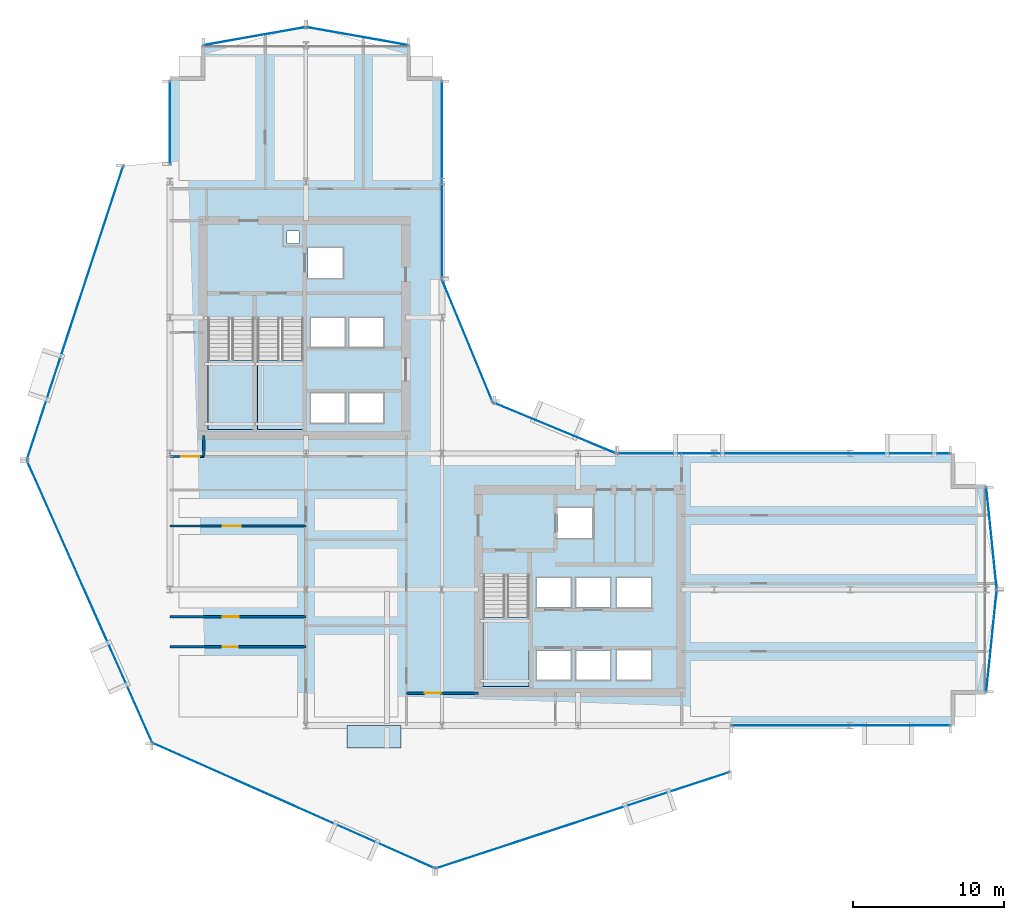
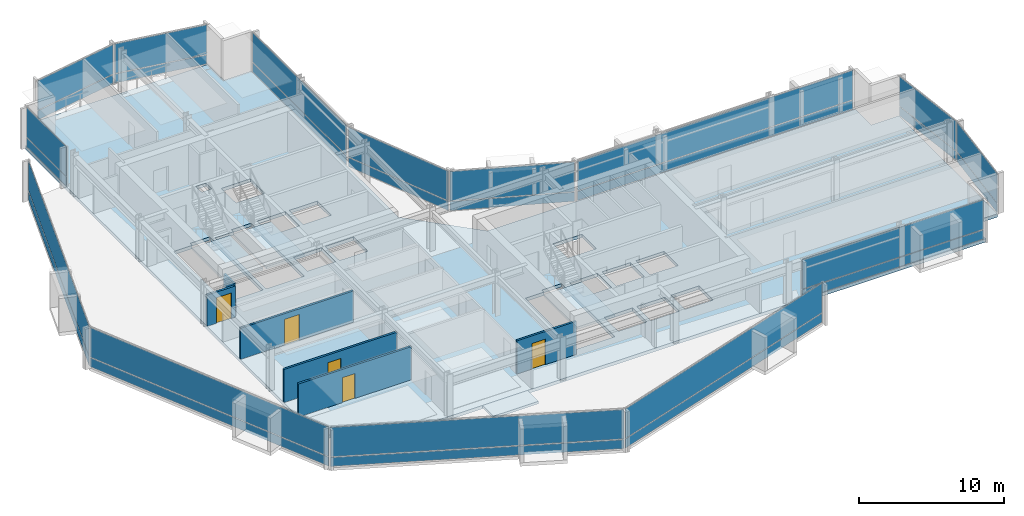
# One storey, part 26 of 34: 28 plates, 6 walls, 5 doors, 5 slabs, 5 openings, 17 elements without a shape of their own.
"""IFC4 building model written with IfcOpenShell, lengths in metres."""

from ifc_helpers import new_model, si_unit, direction, frame, frame_2d, origin, origin_2d, place, context, subcontext, project, spatial, polyline, rectangle, outline, extrude, material, layer, layer_set, type_object, element, fill, aggregate, save


model = new_model("IFC4")

# Units and contexts
model_context = context("Model", 3, precision=1e-05, world=origin(), true_north=direction((0.0, 1.0)))
body_context = subcontext(model_context, "Body", "Model", "MODEL_VIEW")
ifc_project = project(units=[si_unit("LENGTHUNIT", "METRE"), si_unit("AREAUNIT", "SQUARE_METRE"), si_unit("VOLUMEUNIT", "CUBIC_METRE"), si_unit("PLANEANGLEUNIT", "RADIAN"), si_unit("MASSUNIT", "GRAM", prefix="KILO")], contexts=[model_context])

# Site, building, storey
site_placement = place(None, origin())
site = spatial("IfcSite", under=ifc_project, at=site_placement, CompositionType="ELEMENT")
building_placement = place(site_placement, origin())
building = spatial("IfcBuilding", under=site, at=building_placement, Name="Solvaryn Broadcast Tower", CompositionType="ELEMENT")
storey_placement = place(building_placement, frame((0.0, 0.0, 89.10009765625)))
storey = spatial("IfcBuildingStorey", under=building, at=storey_placement, Name="L21", CompositionType="ELEMENT", Elevation=89.10009765625)

# Curtain wall, plates
ifc_material_1 = material(Name="Aluminium and Terracotta Unitised Curtain Wall", Category="masonry")
ifc_layer_1 = layer(ifc_material_1, 0.199951171875)
ifc_layer_set_1 = layer_set([ifc_layer_1], Name="CW-SYS2-LOWMID")
curtain_wall_type = type_object("IfcCurtainWallType", Name="CW-SYS2-LOWMID", PredefinedType="NOTDEFINED", material=ifc_layer_set_1)
curtain_wall_1_placement = place(storey_placement, origin())
curtain_wall_1 = element("IfcCurtainWall", 1, at=curtain_wall_1_placement, inside=storey, type_object=curtain_wall_type, Name="L21 Curtain Wall DR1", PredefinedType="NOTDEFINED")
ifc_material_2 = material(Name="Low-Iron Insulated Vision Glass", Category="glass")
ifc_layer_2 = layer(ifc_material_2, 0.035888671875)
ifc_layer_set_2 = layer_set([ifc_layer_2], Name="CW-PNL-VISION")
plate_type = type_object("IfcPlateType", Name="CW-PNL-VISION", PredefinedType="CURTAIN_PANEL", material=ifc_layer_set_2)
plate_1_placement = place(storey_placement, frame((2.72607421875, 36.2880859375, 0.06005859375), z_axis=(0.0, 0.0, 1.0), x_axis=(-0.311594044587, -0.950215318429, 0.0)))
plate_1 = element("IfcPlate", 2, at=plate_1_placement, type_object=plate_type, Name="CWS2 panel 1.1", PredefinedType="CURTAIN_PANEL", context=body_context, shape_type="SweptSolid", body=[
    extrude(rectangle(XDim=20.35546875, YDim=0.028076171875, at=origin_2d()), origin(), (0.0, 0.0, 1.0), 0.760009765625),
])
plate_2_placement = place(storey_placement, frame((2.72607421875, 36.2880859375, 0.8798828125), z_axis=(0.0, 0.0, 1.0), x_axis=(-0.311594044587, -0.950215318429, 0.0)))
plate_2 = element("IfcPlate", 3, at=plate_2_placement, type_object=plate_type, Name="CWS2 panel 1.2", PredefinedType="CURTAIN_PANEL", context=body_context, shape_type="SweptSolid", body=[
    extrude(rectangle(XDim=20.35546875, YDim=0.028076171875, at=origin_2d()), origin(), (0.0, 0.0, 1.0), 2.47998046875),
])
aggregate(curtain_wall_1, [plate_1, plate_2])

curtain_wall_2_placement = place(storey_placement, origin())
curtain_wall_2 = element("IfcCurtainWall", 4, at=curtain_wall_2_placement, inside=storey, type_object=curtain_wall_type, Name="L21 Curtain Wall DR2", PredefinedType="NOTDEFINED")
plate_3_placement = place(storey_placement, frame((3.69140625, 17.20361328125, 0.06005859375), z_axis=(0.0, 0.0, 1.0), x_axis=(0.405898286554, -0.913918257271, 0.0)))
plate_3 = element("IfcPlate", 5, at=plate_3_placement, type_object=plate_type, Name="CWS2 panel 1.1", PredefinedType="CURTAIN_PANEL", context=body_context, shape_type="SweptSolid", body=[
    extrude(rectangle(XDim=20.35546875, YDim=0.028076171875, at=origin_2d()), origin(), (0.0, 0.0, 1.0), 0.760009765625),
])
plate_4_placement = place(storey_placement, frame((3.69140625, 17.20361328125, 0.8798828125), z_axis=(0.0, 0.0, 1.0), x_axis=(0.405898286554, -0.913918257271, 0.0)))
plate_4 = element("IfcPlate", 6, at=plate_4_placement, type_object=plate_type, Name="CWS2 panel 1.2", PredefinedType="CURTAIN_PANEL", context=body_context, shape_type="SweptSolid", body=[
    extrude(rectangle(XDim=20.35546875, YDim=0.028076171875, at=origin_2d()), origin(), (0.0, 0.0, 1.0), 2.47998046875),
])
aggregate(curtain_wall_2, [plate_3, plate_4])

curtain_wall_3_placement = place(storey_placement, origin())
curtain_wall_3 = element("IfcCurtainWall", 7, at=curtain_wall_3_placement, inside=storey, type_object=curtain_wall_type, Name="L21 Curtain Wall DR3", PredefinedType="NOTDEFINED")
plate_5_placement = place(storey_placement, frame((17.20361328125, 3.69140625, 0.06005859375), z_axis=(0.0, 0.0, 1.0), x_axis=(0.913918257271, -0.405898286554, 0.0)))
plate_5 = element("IfcPlate", 8, at=plate_5_placement, type_object=plate_type, Name="CWS2 panel 1.1", PredefinedType="CURTAIN_PANEL", context=body_context, shape_type="SweptSolid", body=[
    extrude(rectangle(XDim=20.35546875, YDim=0.028076171875, at=origin_2d()), origin(), (0.0, 0.0, 1.0), 0.760009765625),
])
plate_6_placement = place(storey_placement, frame((17.20361328125, 3.69140625, 0.8798828125), z_axis=(0.0, 0.0, 1.0), x_axis=(0.913918257271, -0.405898286554, 0.0)))
plate_6 = element("IfcPlate", 9, at=plate_6_placement, type_object=plate_type, Name="CWS2 panel 1.2", PredefinedType="CURTAIN_PANEL", context=body_context, shape_type="SweptSolid", body=[
    extrude(rectangle(XDim=20.35546875, YDim=0.028076171875, at=origin_2d()), origin(), (0.0, 0.0, 1.0), 2.47998046875),
])
aggregate(curtain_wall_3, [plate_5, plate_6])

curtain_wall_4_placement = place(storey_placement, origin())
curtain_wall_4 = element("IfcCurtainWall", 10, at=curtain_wall_4_placement, inside=storey, type_object=curtain_wall_type, Name="L21 Curtain Wall DR4", PredefinedType="NOTDEFINED")
plate_7_placement = place(storey_placement, frame((36.2880859375, 2.72607421875, 0.06005859375), z_axis=(0.0, 0.0, 1.0), x_axis=(0.950215318429, 0.311594044587, 0.0)))
plate_7 = element("IfcPlate", 11, at=plate_7_placement, type_object=plate_type, Name="CWS2 panel 1.1", PredefinedType="CURTAIN_PANEL", context=body_context, shape_type="SweptSolid", body=[
    extrude(rectangle(XDim=20.35546875, YDim=0.028076171875, at=origin_2d()), origin(), (0.0, 0.0, 1.0), 0.760009765625),
])
plate_8_placement = place(storey_placement, frame((36.2880859375, 2.72607421875, 0.8798828125), z_axis=(0.0, 0.0, 1.0), x_axis=(0.950215318429, 0.311594044587, 0.0)))
plate_8 = element("IfcPlate", 12, at=plate_8_placement, type_object=plate_type, Name="CWS2 panel 1.2", PredefinedType="CURTAIN_PANEL", context=body_context, shape_type="SweptSolid", body=[
    extrude(rectangle(XDim=20.35546875, YDim=0.028076171875, at=origin_2d()), origin(), (0.0, 0.0, 1.0), 2.47998046875),
])
aggregate(curtain_wall_4, [plate_7, plate_8])

curtain_wall_5_placement = place(storey_placement, origin())
curtain_wall_5 = element("IfcCurtainWall", 13, at=curtain_wall_5_placement, inside=storey, type_object=curtain_wall_type, Name="L21 Curtain Wall W2", PredefinedType="NOTDEFINED")
plate_9_placement = place(storey_placement, frame((9.0, 48.883056640625, 0.06005859375), z_axis=(0.0, 0.0, 1.0), x_axis=(0.0, 1.0, 0.0)))
plate_9 = element("IfcPlate", 14, at=plate_9_placement, type_object=plate_type, Name="CWS2 panel 1.1", PredefinedType="CURTAIN_PANEL", context=body_context, shape_type="SweptSolid", body=[
    extrude(rectangle(XDim=5.4140625, YDim=0.028076171875, at=origin_2d()), origin(), (0.0, 0.0, 1.0), 0.760009765625),
])
plate_10_placement = place(storey_placement, frame((9.0, 48.883056640625, 0.8798828125), z_axis=(0.0, 0.0, 1.0), x_axis=(0.0, 1.0, 0.0)))
plate_10 = element("IfcPlate", 15, at=plate_10_placement, type_object=plate_type, Name="CWS2 panel 1.2", PredefinedType="CURTAIN_PANEL", context=body_context, shape_type="SweptSolid", body=[
    extrude(rectangle(XDim=5.4140625, YDim=0.028076171875, at=origin_2d()), origin(), (0.0, 0.0, 1.0), 2.47998046875),
])
aggregate(curtain_wall_5, [plate_9, plate_10])

curtain_wall_6_placement = place(storey_placement, origin())
curtain_wall_6 = element("IfcCurtainWall", 16, at=curtain_wall_6_placement, inside=storey, type_object=curtain_wall_type, Name="L21 Curtain Wall IV", PredefinedType="NOTDEFINED")
plate_11_placement = place(storey_placement, frame((27.0, 45.125, 0.06005859375), z_axis=(0.0, 0.0, 1.0), x_axis=(0.0, -1.0, 0.0)))
plate_11 = element("IfcPlate", 17, at=plate_11_placement, type_object=plate_type, Name="CWS2 panel 1.1", PredefinedType="CURTAIN_PANEL", context=body_context, shape_type="SweptSolid", body=[
    extrude(rectangle(XDim=12.929931640625, YDim=0.028076171875, at=origin_2d()), origin(), (0.0, 0.0, 1.0), 0.760009765625),
])
plate_12_placement = place(storey_placement, frame((27.0, 45.125, 0.8798828125), z_axis=(0.0, 0.0, 1.0), x_axis=(0.0, -1.0, 0.0)))
plate_12 = element("IfcPlate", 18, at=plate_12_placement, type_object=plate_type, Name="CWS2 panel 1.2", PredefinedType="CURTAIN_PANEL", context=body_context, shape_type="SweptSolid", body=[
    extrude(rectangle(XDim=12.929931640625, YDim=0.028076171875, at=origin_2d()), origin(), (0.0, 0.0, 1.0), 2.47998046875),
])
aggregate(curtain_wall_6, [plate_11, plate_12])

curtain_wall_7_placement = place(storey_placement, origin())
curtain_wall_7 = element("IfcCurtainWall", 19, at=curtain_wall_7_placement, inside=storey, type_object=curtain_wall_type, Name="L21 Curtain Wall CN1", PredefinedType="NOTDEFINED")
plate_13_placement = place(storey_placement, frame((34.43408203125, 28.68408203125, 0.06005859375), z_axis=(0.0, 0.0, 1.0), x_axis=(-0.923894983957, 0.382646127145, 0.0)))
plate_13 = element("IfcPlate", 20, at=plate_13_placement, type_object=plate_type, Name="CWS2 panel 1.1", PredefinedType="CURTAIN_PANEL", context=body_context, shape_type="SweptSolid", body=[
    extrude(rectangle(XDim=8.681884765625, YDim=0.028076171875, at=origin_2d()), origin(), (0.0, 0.0, 1.0), 0.760009765625),
])
plate_14_placement = place(storey_placement, frame((34.43408203125, 28.68408203125, 0.8798828125), z_axis=(0.0, 0.0, 1.0), x_axis=(-0.923894983957, 0.382646127145, 0.0)))
plate_14 = element("IfcPlate", 21, at=plate_14_placement, type_object=plate_type, Name="CWS2 panel 1.2", PredefinedType="CURTAIN_PANEL", context=body_context, shape_type="SweptSolid", body=[
    extrude(rectangle(XDim=8.681884765625, YDim=0.028076171875, at=origin_2d()), origin(), (0.0, 0.0, 1.0), 2.47998046875),
])
aggregate(curtain_wall_7, [plate_13, plate_14])

curtain_wall_8_placement = place(storey_placement, origin())
curtain_wall_8 = element("IfcCurtainWall", 22, at=curtain_wall_8_placement, inside=storey, type_object=curtain_wall_type, Name="L21 Curtain Wall CN2", PredefinedType="NOTDEFINED")
plate_15_placement = place(storey_placement, frame((28.68408203125, 34.43408203125, 0.06005859375), z_axis=(0.0, 0.0, 1.0), x_axis=(-0.382646127145, 0.923894983957, 0.0)))
plate_15 = element("IfcPlate", 23, at=plate_15_placement, type_object=plate_type, Name="CWS2 panel 1.1", PredefinedType="CURTAIN_PANEL", context=body_context, shape_type="SweptSolid", body=[
    extrude(rectangle(XDim=8.681884765625, YDim=0.028076171875, at=origin_2d()), origin(), (0.0, 0.0, 1.0), 0.760009765625),
])
plate_16_placement = place(storey_placement, frame((28.68408203125, 34.43408203125, 0.8798828125), z_axis=(0.0, 0.0, 1.0), x_axis=(-0.382646127145, 0.923894983957, 0.0)))
plate_16 = element("IfcPlate", 24, at=plate_16_placement, type_object=plate_type, Name="CWS2 panel 1.2", PredefinedType="CURTAIN_PANEL", context=body_context, shape_type="SweptSolid", body=[
    extrude(rectangle(XDim=8.681884765625, YDim=0.028076171875, at=origin_2d()), origin(), (0.0, 0.0, 1.0), 2.47998046875),
])
aggregate(curtain_wall_8, [plate_15, plate_16])

curtain_wall_9_placement = place(storey_placement, origin())
curtain_wall_9 = element("IfcCurtainWall", 25, at=curtain_wall_9_placement, inside=storey, type_object=curtain_wall_type, Name="L21 Curtain Wall S2", PredefinedType="NOTDEFINED")
plate_17_placement = place(storey_placement, frame((53.383056640625, 9.0, 0.06005859375), z_axis=(0.0, 0.0, 1.0), x_axis=(1.0, 0.0, 0.0)))
plate_17 = element("IfcPlate", 26, at=plate_17_placement, type_object=plate_type, Name="CWS2 panel 1.1", PredefinedType="CURTAIN_PANEL", context=body_context, shape_type="SweptSolid", body=[
    extrude(rectangle(XDim=14.4140625, YDim=0.028076171875, at=origin_2d()), origin(), (0.0, 0.0, 1.0), 0.760009765625),
])
plate_18_placement = place(storey_placement, frame((53.383056640625, 9.0, 0.8798828125), z_axis=(0.0, 0.0, 1.0), x_axis=(1.0, 0.0, 0.0)))
plate_18 = element("IfcPlate", 27, at=plate_18_placement, type_object=plate_type, Name="CWS2 panel 1.2", PredefinedType="CURTAIN_PANEL", context=body_context, shape_type="SweptSolid", body=[
    extrude(rectangle(XDim=14.4140625, YDim=0.028076171875, at=origin_2d()), origin(), (0.0, 0.0, 1.0), 2.47998046875),
])
aggregate(curtain_wall_9, [plate_17, plate_18])

curtain_wall_10_placement = place(storey_placement, origin())
curtain_wall_10 = element("IfcCurtainWall", 28, at=curtain_wall_10_placement, inside=storey, type_object=curtain_wall_type, Name="L21 Curtain Wall NT1", PredefinedType="NOTDEFINED")
plate_19_placement = place(storey_placement, frame((21.39990234375, 54.60009765625, 0.06005859375), z_axis=(0.0, 0.0, 1.0), x_axis=(-0.984783558819, 0.173785333901, 0.0)))
plate_19 = element("IfcPlate", 29, at=plate_19_placement, type_object=plate_type, Name="CWS2 panel 1.1", PredefinedType="CURTAIN_PANEL", context=body_context, shape_type="SweptSolid", body=[
    extrude(rectangle(XDim=6.78515625, YDim=0.028076171875, at=origin_2d()), origin(), (0.0, 0.0, 1.0), 0.760009765625),
])
plate_20_placement = place(storey_placement, frame((21.39990234375, 54.60009765625, 0.8798828125), z_axis=(0.0, 0.0, 1.0), x_axis=(-0.984783558819, 0.173785333901, 0.0)))
plate_20 = element("IfcPlate", 30, at=plate_20_placement, type_object=plate_type, Name="CWS2 panel 1.2", PredefinedType="CURTAIN_PANEL", context=body_context, shape_type="SweptSolid", body=[
    extrude(rectangle(XDim=6.78515625, YDim=0.028076171875, at=origin_2d()), origin(), (0.0, 0.0, 1.0), 2.47998046875),
])
aggregate(curtain_wall_10, [plate_19, plate_20])

curtain_wall_11_placement = place(storey_placement, origin())
curtain_wall_11 = element("IfcCurtainWall", 31, at=curtain_wall_11_placement, inside=storey, type_object=curtain_wall_type, Name="L21 Curtain Wall NT2", PredefinedType="NOTDEFINED")
plate_21_placement = place(storey_placement, frame((14.60009765625, 54.60009765625, 0.06005859375), z_axis=(0.0, 0.0, 1.0), x_axis=(-0.984783558819, -0.173785333901, 0.0)))
plate_21 = element("IfcPlate", 32, at=plate_21_placement, type_object=plate_type, Name="CWS2 panel 1.1", PredefinedType="CURTAIN_PANEL", context=body_context, shape_type="SweptSolid", body=[
    extrude(rectangle(XDim=6.78515625, YDim=0.028076171875, at=origin_2d()), origin(), (0.0, 0.0, 1.0), 0.760009765625),
])
plate_22_placement = place(storey_placement, frame((14.60009765625, 54.60009765625, 0.8798828125), z_axis=(0.0, 0.0, 1.0), x_axis=(-0.984783558819, -0.173785333901, 0.0)))
plate_22 = element("IfcPlate", 33, at=plate_22_placement, type_object=plate_type, Name="CWS2 panel 1.2", PredefinedType="CURTAIN_PANEL", context=body_context, shape_type="SweptSolid", body=[
    extrude(rectangle(XDim=6.78515625, YDim=0.028076171875, at=origin_2d()), origin(), (0.0, 0.0, 1.0), 2.47998046875),
])
aggregate(curtain_wall_11, [plate_21, plate_22])

curtain_wall_12_placement = place(storey_placement, origin())
curtain_wall_12 = element("IfcCurtainWall", 34, at=curtain_wall_12_placement, inside=storey, type_object=curtain_wall_type, Name="L21 Curtain Wall ET1", PredefinedType="NOTDEFINED")
plate_23_placement = place(storey_placement, frame((63.35009765625, 21.39990234375, 0.06005859375), z_axis=(0.0, 0.0, 1.0), x_axis=(0.10240004548, -0.99474329889, 0.0)))
plate_23 = element("IfcPlate", 35, at=plate_23_placement, type_object=plate_type, Name="CWS2 panel 1.1", PredefinedType="CURTAIN_PANEL", context=body_context, shape_type="SweptSolid", body=[
    extrude(rectangle(XDim=6.7158203125, YDim=0.028076171875, at=origin_2d()), origin(), (0.0, 0.0, 1.0), 0.760009765625),
])
plate_24_placement = place(storey_placement, frame((63.35009765625, 21.39990234375, 0.8798828125), z_axis=(0.0, 0.0, 1.0), x_axis=(0.10240004548, -0.99474329889, 0.0)))
plate_24 = element("IfcPlate", 36, at=plate_24_placement, type_object=plate_type, Name="CWS2 panel 1.2", PredefinedType="CURTAIN_PANEL", context=body_context, shape_type="SweptSolid", body=[
    extrude(rectangle(XDim=6.7158203125, YDim=0.028076171875, at=origin_2d()), origin(), (0.0, 0.0, 1.0), 2.47998046875),
])
aggregate(curtain_wall_12, [plate_23, plate_24])

curtain_wall_13_placement = place(storey_placement, origin())
curtain_wall_13 = element("IfcCurtainWall", 37, at=curtain_wall_13_placement, inside=storey, type_object=curtain_wall_type, Name="L21 Curtain Wall ET2", PredefinedType="NOTDEFINED")
plate_25_placement = place(storey_placement, frame((63.35009765625, 14.60009765625, 0.06005859375), z_axis=(0.0, 0.0, 1.0), x_axis=(-0.10240004548, -0.99474329889, 0.0)))
plate_25 = element("IfcPlate", 38, at=plate_25_placement, type_object=plate_type, Name="CWS2 panel 1.1", PredefinedType="CURTAIN_PANEL", context=body_context, shape_type="SweptSolid", body=[
    extrude(rectangle(XDim=6.7158203125, YDim=0.028076171875, at=origin_2d()), origin(), (0.0, 0.0, 1.0), 0.760009765625),
])
plate_26_placement = place(storey_placement, frame((63.35009765625, 14.60009765625, 0.8798828125), z_axis=(0.0, 0.0, 1.0), x_axis=(-0.10240004548, -0.99474329889, 0.0)))
plate_26 = element("IfcPlate", 39, at=plate_26_placement, type_object=plate_type, Name="CWS2 panel 1.2", PredefinedType="CURTAIN_PANEL", context=body_context, shape_type="SweptSolid", body=[
    extrude(rectangle(XDim=6.7158203125, YDim=0.028076171875, at=origin_2d()), origin(), (0.0, 0.0, 1.0), 2.47998046875),
])
aggregate(curtain_wall_13, [plate_25, plate_26])

curtain_wall_14_placement = place(storey_placement, origin())
curtain_wall_14 = element("IfcCurtainWall", 40, at=curtain_wall_14_placement, inside=storey, type_object=curtain_wall_type, Name="L21 Curtain Wall IH", PredefinedType="NOTDEFINED")
plate_27_placement = place(storey_placement, frame((49.625, 27.0, 0.06005859375), z_axis=(0.0, 0.0, 1.0), x_axis=(1.0, 0.0, 0.0)))
plate_27 = element("IfcPlate", 41, at=plate_27_placement, type_object=plate_type, Name="CWS2 panel 1.1", PredefinedType="CURTAIN_PANEL", context=body_context, shape_type="SweptSolid", body=[
    extrude(rectangle(XDim=21.929931640625, YDim=0.028076171875, at=origin_2d()), origin(), (0.0, 0.0, 1.0), 0.760009765625),
])
plate_28_placement = place(storey_placement, frame((49.625, 27.0, 0.8798828125), z_axis=(0.0, 0.0, 1.0), x_axis=(1.0, 0.0, 0.0)))
plate_28 = element("IfcPlate", 42, at=plate_28_placement, type_object=plate_type, Name="CWS2 panel 1.2", PredefinedType="CURTAIN_PANEL", context=body_context, shape_type="SweptSolid", body=[
    extrude(rectangle(XDim=21.929931640625, YDim=0.028076171875, at=origin_2d()), origin(), (0.0, 0.0, 1.0), 2.47998046875),
])
aggregate(curtain_wall_14, [plate_27, plate_28])

# Slab
ifc_material_3 = material(Name="Concrete f'c 60 MPa", Category="concrete")
ifc_layer_3 = layer(ifc_material_3, 0.2099609375)
ifc_layer_set_3 = layer_set([ifc_layer_3], Name="SL-BAYBOX-210")
slab_type_1 = type_object("IfcSlabType", Name="SL-BAYBOX-210", PredefinedType="FLOOR", material=ifc_layer_set_3)
slab_1_placement = place(storey_placement, frame((0.0, 0.0, -0.210205078125)))
element("IfcSlab", 43, at=slab_1_placement, inside=storey, type_object=slab_type_1, Name="L21 Projecting Bay-Box Slab 1", PredefinedType="FLOOR", context=body_context, shape_type="SweptSolid", body=[
    extrude(outline(polyline([(20.699951171875, 7.5), (24.300048828125, 7.5), (24.300048828125, 9.0), (20.699951171875, 9.0), (20.699951171875, 7.5)])), origin(), (0.0, 0.0, 1.0), 0.210205078125),
])

# Stair, slab
ifc_material_4 = material(Name="Concrete f'c 60 MPa", Category="concrete")
stair_type = type_object("IfcStairType", Name="ST-CORE", PredefinedType="HALF_TURN_STAIR", material=ifc_material_4)
stair_1_placement = place(storey_placement, origin())
stair_1 = element("IfcStair", 44, at=stair_1_placement, inside=storey, type_object=stair_type, Name="L21 ST1", PredefinedType="HALF_TURN_STAIR")
ifc_material_5 = material(Name="Concrete f'c 60 MPa", Category="concrete")
ifc_layer_4 = layer(ifc_material_5, 0.199951171875)
ifc_layer_set_4 = layer_set([ifc_layer_4], Name="SL-LANDING-200")
slab_type_2 = type_object("IfcSlabType", Name="SL-LANDING-200", PredefinedType="LANDING", material=ifc_layer_set_4)
slab_2_placement = place(storey_placement, frame((0.0, 0.0, 1.64990234375)))
slab_2 = element("IfcSlab", 45, at=slab_2_placement, type_object=slab_type_2, Name="ST1 landing 1", PredefinedType="LANDING", context=body_context, shape_type="SweptSolid", body=[
    extrude(outline(polyline([(11.52001953125, 33.159912109375), (11.52001953125, 28.60009765625), (14.550048828125, 28.60009765625), (14.550048828125, 33.159912109375), (11.52001953125, 33.159912109375)])), origin(), (0.0, 0.0, 1.0), 0.199951171875),
])
aggregate(stair_1, [slab_2])

stair_2_placement = place(storey_placement, origin())
stair_2 = element("IfcStair", 46, at=stair_2_placement, inside=storey, type_object=stair_type, Name="L21 ST2", PredefinedType="HALF_TURN_STAIR")
slab_3_placement = place(storey_placement, frame((0.0, 0.0, 1.64990234375)))
slab_3 = element("IfcSlab", 47, at=slab_3_placement, type_object=slab_type_2, Name="ST2 landing 1", PredefinedType="LANDING", context=body_context, shape_type="SweptSolid", body=[
    extrude(outline(polyline([(14.800048828125, 33.159912109375), (14.800048828125, 28.60009765625), (17.830078125, 28.60009765625), (17.830078125, 33.159912109375), (14.800048828125, 33.159912109375)])), origin(), (0.0, 0.0, 1.0), 0.199951171875),
])
aggregate(stair_2, [slab_3])

stair_3_placement = place(storey_placement, origin())
stair_3 = element("IfcStair", 48, at=stair_3_placement, inside=storey, type_object=stair_type, Name="L21 ST3", PredefinedType="HALF_TURN_STAIR")
slab_4_placement = place(storey_placement, frame((0.0, 0.0, 1.64990234375)))
slab_4 = element("IfcSlab", 49, at=slab_4_placement, type_object=slab_type_2, Name="ST3 landing 1", PredefinedType="LANDING", context=body_context, shape_type="SweptSolid", body=[
    extrude(outline(polyline([(29.719970703125, 16.159912109375), (29.719970703125, 11.60009765625), (32.75, 11.60009765625), (32.75, 16.159912109375), (29.719970703125, 16.159912109375)])), origin(), (0.0, 0.0, 1.0), 0.199951171875),
])
aggregate(stair_3, [slab_4])

# Slab
ifc_material_6 = material(Name="Concrete f'c 60 MPa", Category="concrete")
ifc_layer_5 = layer(ifc_material_6, 0.280029296875)
ifc_layer_set_5 = layer_set([ifc_layer_5], Name="SL-TWR-280")
slab_type_3 = type_object("IfcSlabType", Name="SL-TWR-280", PredefinedType="FLOOR", material=ifc_layer_set_5)
slab_5_placement = place(storey_placement, frame((0.0, 0.0, -0.280029296875)))
element("IfcSlab", 50, at=slab_5_placement, inside=storey, type_object=slab_type_3, Name="L21 Structural Floor Slab", PredefinedType="FLOOR", context=body_context, shape_type="SweptSolid", body=[
    extrude(outline(polyline([(11.199951171875, 9.0), (60.800048828125, 9.0), (60.800048828125, 11.199951171875), (63.0, 11.199951171875), (63.0, 24.800048828125), (60.800048828125, 24.800048828125), (60.800048828125, 27.0), (31.5, 27.0), (27.0, 31.5), (27.0, 51.800048828125), (24.800048828125, 51.800048828125), (24.800048828125, 54.0), (11.199951171875, 54.0), (11.199951171875, 51.800048828125), (9.0, 51.800048828125), (9.0, 11.199951171875), (11.199951171875, 11.199951171875), (11.199951171875, 9.0)]), holes=[polyline([(11.52001953125, 28.60009765625), (14.550048828125, 28.60009765625), (14.550048828125, 35.9599609375), (12.97998046875, 35.9599609375), (12.97998046875, 35.679931640625), (11.52001953125, 35.679931640625), (11.52001953125, 28.60009765625)]), polyline([(14.800048828125, 28.60009765625), (17.830078125, 28.60009765625), (17.830078125, 35.9599609375), (16.260009765625, 35.9599609375), (16.260009765625, 35.679931640625), (14.800048828125, 35.679931640625), (14.800048828125, 28.60009765625)]), polyline([(29.719970703125, 11.60009765625), (32.75, 11.60009765625), (32.75, 18.9599609375), (31.179931640625, 18.9599609375), (31.179931640625, 18.679931640625), (29.719970703125, 18.679931640625), (29.719970703125, 11.60009765625)]), polyline([(18.14990234375, 38.60009765625), (20.449951171875, 38.60009765625), (20.449951171875, 40.60009765625), (18.14990234375, 40.60009765625), (18.14990234375, 38.60009765625)]), polyline([(18.324951171875, 29.02490234375), (20.574951171875, 29.02490234375), (20.574951171875, 30.97509765625), (18.324951171875, 30.97509765625), (18.324951171875, 29.02490234375)]), polyline([(20.875, 29.02490234375), (23.125, 29.02490234375), (23.125, 30.97509765625), (20.875, 30.97509765625), (20.875, 29.02490234375)]), polyline([(18.324951171875, 34.02490234375), (20.574951171875, 34.02490234375), (20.574951171875, 35.97509765625), (18.324951171875, 35.97509765625), (18.324951171875, 34.02490234375)]), polyline([(20.875, 34.02490234375), (23.125, 34.02490234375), (23.125, 35.97509765625), (20.875, 35.97509765625), (20.875, 34.02490234375)]), polyline([(34.64990234375, 21.39990234375), (36.949951171875, 21.39990234375), (36.949951171875, 23.39990234375), (34.64990234375, 23.39990234375), (34.64990234375, 21.39990234375)]), polyline([(33.27490234375, 12.02490234375), (35.52490234375, 12.02490234375), (35.52490234375, 13.97509765625), (33.27490234375, 13.97509765625), (33.27490234375, 12.02490234375)]), polyline([(35.875, 12.02490234375), (38.125, 12.02490234375), (38.125, 13.97509765625), (35.875, 13.97509765625), (35.875, 12.02490234375)]), polyline([(33.27490234375, 16.824951171875), (35.52490234375, 16.824951171875), (35.52490234375, 18.77490234375), (33.27490234375, 18.77490234375), (33.27490234375, 16.824951171875)]), polyline([(35.875, 16.824951171875), (38.125, 16.824951171875), (38.125, 18.77490234375), (35.875, 18.77490234375), (35.875, 16.824951171875)]), polyline([(38.574951171875, 12.02490234375), (40.824951171875, 12.02490234375), (40.824951171875, 13.97509765625), (38.574951171875, 13.97509765625), (38.574951171875, 12.02490234375)]), polyline([(38.574951171875, 16.824951171875), (40.824951171875, 16.824951171875), (40.824951171875, 18.77490234375), (38.574951171875, 18.77490234375), (38.574951171875, 16.824951171875)]), polyline([(16.75, 40.89990234375), (17.550048828125, 40.89990234375), (17.550048828125, 41.699951171875), (16.75, 41.699951171875), (16.75, 40.89990234375)])]), origin(), (0.0, 0.0, 1.0), 0.280029296875),
])

# Wall, opening, door
ifc_material_7 = material(Name="Metal-Stud Gypsum Office Partition")
ifc_layer_6 = layer(ifc_material_7, 0.159912109375)
ifc_layer_set_6 = layer_set([ifc_layer_6], Name="IW-PART-160")
wall_type = type_object("IfcWallType", Name="IW-PART-160", PredefinedType="PARTITIONING", material=ifc_layer_set_6)
wall_1_placement = place(storey_placement, frame((9.0, 26.800048828125, 0.0), z_axis=(0.0, 0.0, 1.0), x_axis=(1.0, 0.0, 0.0)))
wall_1 = element("IfcWall", 51, at=wall_1_placement, inside=storey, type_object=wall_type, Name="L21 Interior Partition IW-L21-WM-S", PredefinedType="PARTITIONING", context=body_context, shape_type="SweptSolid", body=[
    extrude(rectangle(XDim=2.25, YDim=0.159912109375, at=frame_2d((1.125, 0.0))), origin(), (0.0, 0.0, 1.0), 2.626953125),
])
opening_1_placement = place(wall_1_placement, frame((0.75, 0.0, 0.0)))
opening_1 = element("IfcOpeningElement", 52, at=opening_1_placement, cuts=wall_1, Name="Opening ID04", PredefinedType="OPENING", context=body_context, shape_type="SweptSolid", body=[
    extrude(rectangle(XDim=1.199951171875, YDim=2.14990234375, at=frame_2d((0.60009765625, 1.074951171875))), frame((0.0, 0.090087890625, 0.0), z_axis=(0.0, -1.0, 0.0), x_axis=(1.0, 0.0, 0.0)), (0.0, 0.0, 1.0), 0.179931640625),
])
ifc_material_8 = material(Name="Flush Acoustic Steel and Timber Door Assembly", Category="steel")
door_type_1 = type_object("IfcDoorType", Name="ID-04-1200X2150", OperationType="NOTDEFINED", PredefinedType="DOOR", material=ifc_material_8)
door_1_placement = place(opening_1_placement, origin())
door_1 = element("IfcDoor", 53, at=door_1_placement, inside=storey, type_object=door_type_1, Name="L21 Door DR-L21-WM0", OperationType="SINGLE_SWING_RIGHT", OverallHeight=2.14990234375, OverallWidth=1.199951171875, PredefinedType="DOOR", context=body_context, shape_type="SweptSolid", body=[
    extrude(rectangle(XDim=1.199951171875, YDim=2.14990234375, at=frame_2d((0.60009765625, 1.074951171875))), frame((0.0, 0.02490234375, 0.0), z_axis=(0.0, -1.0, 0.0), x_axis=(1.0, 0.0, 0.0)), (0.0, 0.0, 1.0), 0.050048828125),
])
fill(opening_1, door_1)

# Wall
wall_2_placement = place(storey_placement, frame((11.25, 26.800048828125, 0.0), z_axis=(0.0, 0.0, 1.0), x_axis=(0.0, 1.0, 0.0)))
element("IfcWall", 54, at=wall_2_placement, inside=storey, type_object=wall_type, Name="L21 Interior Partition IW-L21-SW-ALW", PredefinedType="PARTITIONING", context=body_context, shape_type="SweptSolid", body=[
    extrude(rectangle(XDim=1.39990234375, YDim=0.159912109375, at=frame_2d((0.699951171875, 0.0))), origin(), (0.0, 0.0, 1.0), 2.788818359375),
])

# Wall, opening, door
wall_3_placement = place(storey_placement, frame((9.0, 14.199951171875, 0.0), z_axis=(0.0, 0.0, 1.0), x_axis=(1.0, 0.0, 0.0)))
wall_3 = element("IfcWall", 55, at=wall_3_placement, inside=storey, type_object=wall_type, Name="L21 Interior Partition IW-L21-SWW-H1", PredefinedType="PARTITIONING", context=body_context, shape_type="SweptSolid", body=[
    extrude(rectangle(XDim=9.0, YDim=0.159912109375, at=frame_2d((4.5, 0.0))), origin(), (0.0, 0.0, 1.0), 2.7919921875),
])
opening_2_placement = place(wall_3_placement, frame((3.5, 0.0, 0.0)))
opening_2 = element("IfcOpeningElement", 56, at=opening_2_placement, cuts=wall_3, Name="Opening ID02", PredefinedType="OPENING", context=body_context, shape_type="SweptSolid", body=[
    extrude(rectangle(XDim=1.0, YDim=2.10009765625, at=frame_2d((0.5, 1.050048828125))), frame((0.0, 0.090087890625, 0.0), z_axis=(0.0, -1.0, 0.0), x_axis=(1.0, 0.0, 0.0)), (0.0, 0.0, 1.0), 0.179931640625),
])
ifc_material_9 = material(Name="Flush Acoustic Steel and Timber Door Assembly", Category="steel")
door_type_2 = type_object("IfcDoorType", Name="ID-02-1000X2100", OperationType="NOTDEFINED", PredefinedType="DOOR", material=ifc_material_9)
door_2_placement = place(opening_2_placement, origin())
door_2 = element("IfcDoor", 57, at=door_2_placement, inside=storey, type_object=door_type_2, Name="L21 Door DR-L21-SWW-1", OperationType="SINGLE_SWING_RIGHT", OverallHeight=2.10009765625, OverallWidth=1.0, PredefinedType="DOOR", context=body_context, shape_type="SweptSolid", body=[
    extrude(rectangle(XDim=1.0, YDim=2.10009765625, at=frame_2d((0.5, 1.050048828125))), frame((0.0, 0.02490234375, 0.0), z_axis=(0.0, -1.0, 0.0), x_axis=(1.0, 0.0, 0.0)), (0.0, 0.0, 1.0), 0.050048828125),
])
fill(opening_2, door_2)

wall_4_placement = place(storey_placement, frame((9.0, 16.199951171875, 0.0), z_axis=(0.0, 0.0, 1.0), x_axis=(1.0, 0.0, 0.0)))
wall_4 = element("IfcWall", 58, at=wall_4_placement, inside=storey, type_object=wall_type, Name="L21 Interior Partition IW-L21-SWW-H2", PredefinedType="PARTITIONING", context=body_context, shape_type="SweptSolid", body=[
    extrude(rectangle(XDim=9.0, YDim=0.159912109375, at=frame_2d((4.5, 0.0))), origin(), (0.0, 0.0, 1.0), 2.7919921875),
])
opening_3_placement = place(wall_4_placement, frame((3.5, 0.0, 0.0)))
opening_3 = element("IfcOpeningElement", 59, at=opening_3_placement, cuts=wall_4, Name="Opening ID03", PredefinedType="OPENING", context=body_context, shape_type="SweptSolid", body=[
    extrude(rectangle(XDim=1.050048828125, YDim=2.14990234375, at=frame_2d((0.52490234375, 1.074951171875))), frame((0.0, 0.090087890625, 0.0), z_axis=(0.0, -1.0, 0.0), x_axis=(1.0, 0.0, 0.0)), (0.0, 0.0, 1.0), 0.179931640625),
])
ifc_material_10 = material(Name="Flush Acoustic Steel and Timber Door Assembly", Category="steel")
door_type_3 = type_object("IfcDoorType", Name="ID-03-1050X2150", OperationType="NOTDEFINED", PredefinedType="DOOR", material=ifc_material_10)
door_3_placement = place(opening_3_placement, origin())
door_3 = element("IfcDoor", 60, at=door_3_placement, inside=storey, type_object=door_type_3, Name="L21 Door DR-L21-SWW-2", OperationType="SINGLE_SWING_LEFT", OverallHeight=2.14990234375, OverallWidth=1.050048828125, PredefinedType="DOOR", context=body_context, shape_type="SweptSolid", body=[
    extrude(rectangle(XDim=1.050048828125, YDim=2.14990234375, at=frame_2d((0.52490234375, 1.074951171875))), frame((0.0, 0.02490234375, 0.0), z_axis=(0.0, -1.0, 0.0), x_axis=(1.0, 0.0, 0.0)), (0.0, 0.0, 1.0), 0.050048828125),
])
fill(opening_3, door_3)

wall_5_placement = place(storey_placement, frame((9.0, 22.199951171875, 0.0), z_axis=(0.0, 0.0, 1.0), x_axis=(1.0, 0.0, 0.0)))
wall_5 = element("IfcWall", 61, at=wall_5_placement, inside=storey, type_object=wall_type, Name="L21 Interior Partition IW-L21-SWW-H3", PredefinedType="PARTITIONING", context=body_context, shape_type="SweptSolid", body=[
    extrude(rectangle(XDim=9.0, YDim=0.159912109375, at=frame_2d((4.5, 0.0))), origin(), (0.0, 0.0, 1.0), 2.626953125),
])
opening_4_placement = place(wall_5_placement, frame((3.5, 0.0, 0.0)))
opening_4 = element("IfcOpeningElement", 62, at=opening_4_placement, cuts=wall_5, Name="Opening ID04", PredefinedType="OPENING", context=body_context, shape_type="SweptSolid", body=[
    extrude(rectangle(XDim=1.199951171875, YDim=2.14990234375, at=frame_2d((0.60009765625, 1.074951171875))), frame((0.0, 0.090087890625, 0.0), z_axis=(0.0, -1.0, 0.0), x_axis=(1.0, 0.0, 0.0)), (0.0, 0.0, 1.0), 0.179931640625),
])
door_4_placement = place(opening_4_placement, origin())
door_4 = element("IfcDoor", 63, at=door_4_placement, inside=storey, type_object=door_type_1, Name="L21 Door DR-L21-SWW-3", OperationType="SINGLE_SWING_RIGHT", OverallHeight=2.14990234375, OverallWidth=1.199951171875, PredefinedType="DOOR", context=body_context, shape_type="SweptSolid", body=[
    extrude(rectangle(XDim=1.199951171875, YDim=2.14990234375, at=frame_2d((0.60009765625, 1.074951171875))), frame((0.0, 0.02490234375, 0.0), z_axis=(0.0, -1.0, 0.0), x_axis=(1.0, 0.0, 0.0)), (0.0, 0.0, 1.0), 0.050048828125),
])
fill(opening_4, door_4)

wall_6_placement = place(storey_placement, frame((24.64990234375, 11.14990234375, 0.0), z_axis=(0.0, 0.0, 1.0), x_axis=(1.0, 0.0, 0.0)))
wall_6 = element("IfcWall", 64, at=wall_6_placement, inside=storey, type_object=wall_type, Name="L21 Interior Partition IW-L21-SC-N", PredefinedType="PARTITIONING", context=body_context, shape_type="SweptSolid", body=[
    extrude(rectangle(XDim=4.75, YDim=0.159912109375, at=frame_2d((2.375, 0.0))), origin(), (0.0, 0.0, 1.0), 2.7919921875),
])
opening_5_placement = place(wall_6_placement, frame((1.199951171875, 0.0, 0.0)))
opening_5 = element("IfcOpeningElement", 65, at=opening_5_placement, cuts=wall_6, Name="Opening ID03", PredefinedType="OPENING", context=body_context, shape_type="SweptSolid", body=[
    extrude(rectangle(XDim=1.050048828125, YDim=2.14990234375, at=frame_2d((0.52490234375, 1.074951171875))), frame((0.0, 0.090087890625, 0.0), z_axis=(0.0, -1.0, 0.0), x_axis=(1.0, 0.0, 0.0)), (0.0, 0.0, 1.0), 0.179931640625),
])
door_5_placement = place(opening_5_placement, origin())
door_5 = element("IfcDoor", 66, at=door_5_placement, inside=storey, type_object=door_type_3, Name="L21 Door DR-L21-SC0", OperationType="SINGLE_SWING_RIGHT", OverallHeight=2.14990234375, OverallWidth=1.050048828125, PredefinedType="DOOR", context=body_context, shape_type="SweptSolid", body=[
    extrude(rectangle(XDim=1.050048828125, YDim=2.14990234375, at=frame_2d((0.52490234375, 1.074951171875))), frame((0.0, 0.02490234375, 0.0), z_axis=(0.0, -1.0, 0.0), x_axis=(1.0, 0.0, 0.0)), (0.0, 0.0, 1.0), 0.050048828125),
])
fill(opening_5, door_5)

save(model, "model.ifc")
